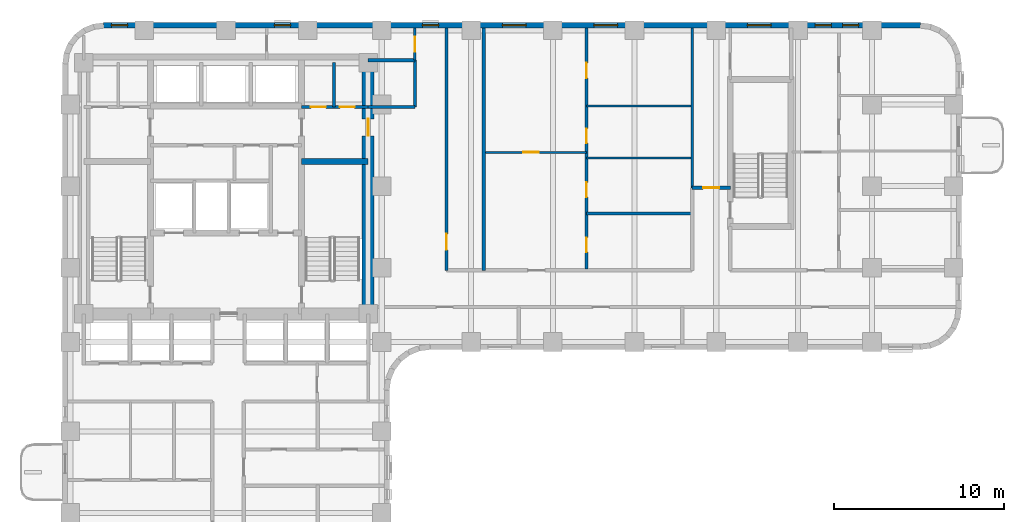
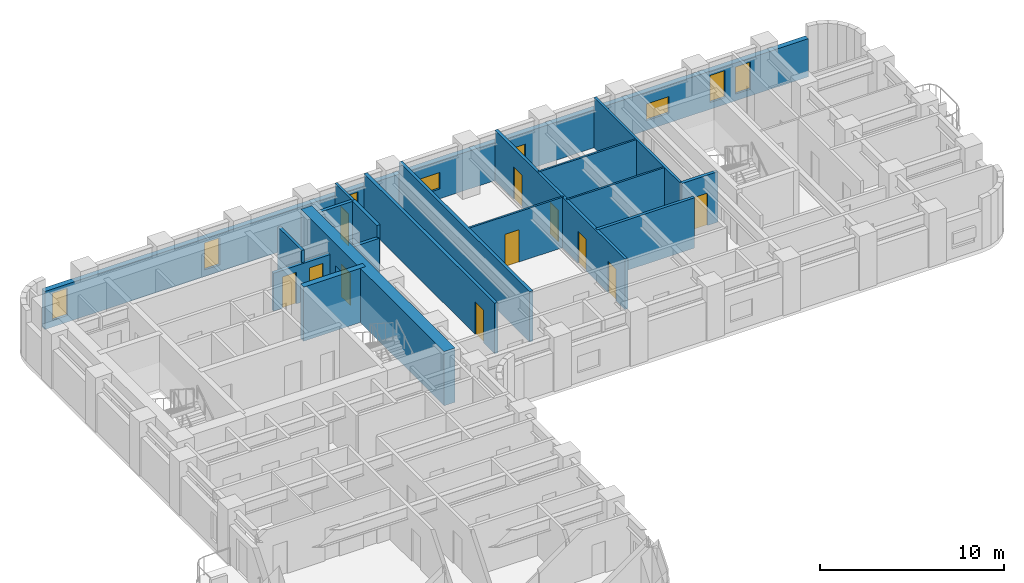
# One storey, part 6 of 11: 18 walls, 11 doors, 8 windows, 19 openings.
"""IFC4 building model written with IfcOpenShell, lengths in metres."""

from ifc_helpers import new_model, si_unit, direction, frame, frame_2d, origin, place, context, subcontext, project, spatial, rectangle, extrude, material, layer, layer_set, type_object, element, fill, save


model = new_model("IFC4")

# Units and contexts
model_context = context("Model", 3, precision=1e-05, world=origin(), true_north=direction((0.0, 1.0)))
body_context = subcontext(model_context, "Body", "Model", "MODEL_VIEW")
ifc_project = project(units=[si_unit("LENGTHUNIT", "METRE"), si_unit("AREAUNIT", "SQUARE_METRE"), si_unit("VOLUMEUNIT", "CUBIC_METRE"), si_unit("PLANEANGLEUNIT", "RADIAN"), si_unit("MASSUNIT", "GRAM", prefix="KILO")], contexts=[model_context])

# Site, building, storey
site_placement = place(None, origin())
site = spatial("IfcSite", under=ifc_project, at=site_placement, CompositionType="ELEMENT")
building_placement = place(site_placement, origin())
building = spatial("IfcBuilding", under=site, at=building_placement, Name="Orvandelia Arch Residences", CompositionType="ELEMENT")
storey_placement = place(building_placement, frame((0.0, 0.0, 61.0)))
storey = spatial("IfcBuildingStorey", under=building, at=storey_placement, Name="L15", CompositionType="ELEMENT", Elevation=61.0)

# Wall
ifc_material_1 = material(Name="Concrete C50/60", Category="concrete")
ifc_layer_1 = layer(ifc_material_1, 0.35009765625, Name="Concrete C50/60", Category="concrete")
ifc_layer_set_1 = layer_set([ifc_layer_1], Name="Concrete C50/60")
wall_type_1 = type_object("IfcWallType", Name="WL-CORE-350", PredefinedType="SHEAR", material=ifc_layer_set_1)
wall_1_placement = place(storey_placement, frame((18.840087890625, 39.85009765625, 0.0), z_axis=(0.0, 0.0, 1.0), x_axis=(1.0, 0.0, 0.0)))
element("IfcWall", 1, at=wall_1_placement, inside=storey, type_object=wall_type_1, Name="Core Shear Wall L15-HZ2", PredefinedType="SHEAR", context=body_context, shape_type="SweptSolid", body=[
    extrude(rectangle(XDim=3.909912109375, YDim=0.35009765625, at=frame_2d((1.955078125, 0.0))), origin(), (0.0, 0.0, 1.0), 3.60009765625),
])

# Wall, opening, door
ifc_material_2 = material(Name="Concrete C80/95", Category="concrete")
ifc_layer_2 = layer(ifc_material_2, 0.699951171875, Name="Concrete C80/95", Category="concrete")
ifc_layer_set_2 = layer_set([ifc_layer_2], Name="Concrete C80/95")
wall_type_2 = type_object("IfcWallType", Name="WL-CORE-700", PredefinedType="SHEAR", material=ifc_layer_set_2)
wall_2_placement = place(storey_placement, frame((22.75, 30.550048828125, 0.0), z_axis=(0.0, 0.0, 1.0), x_axis=(0.0, 1.0, 0.0)))
wall_2 = element("IfcWall", 2, at=wall_2_placement, inside=storey, type_object=wall_type_2, Name="Core Shear Wall L15-E", PredefinedType="SHEAR", context=body_context, shape_type="SweptSolid", body=[
    extrude(rectangle(XDim=15.599853515625, YDim=0.699951171875, at=frame_2d((7.7998046875, 0.0))), origin(), (0.0, 0.0, 1.0), 3.60009765625),
])
opening_1_placement = place(wall_2_placement, frame((10.800048828125, 0.0, 0.0)))
opening_1 = element("IfcOpeningElement", 3, at=opening_1_placement, cuts=wall_2, Name="Opening D6", PredefinedType="OPENING", context=body_context, shape_type="SweptSolid", body=[
    extrude(rectangle(XDim=1.0, YDim=2.14990234375, at=frame_2d((0.5, 1.074951171875))), frame((0.0, 0.35986328125, 0.0), z_axis=(0.0, -1.0, 0.0), x_axis=(1.0, 0.0, 0.0)), (0.0, 0.0, 1.0), 0.719970703125),
])
ifc_material_3 = material(Name="Smokeproof Painted Steel Fire Door", Category="steel")
door_type_1 = type_object("IfcDoorType", Name="DR-FD60-1000", OperationType="NOTDEFINED", PredefinedType="DOOR", material=ifc_material_3)
door_1_placement = place(opening_1_placement, origin())
door_1 = element("IfcDoor", 4, at=door_1_placement, inside=storey, type_object=door_type_1, Name="Core East Corridor Link Door L15", OperationType="SINGLE_SWING_LEFT", OverallHeight=2.14990234375, OverallWidth=1.0, PredefinedType="DOOR", context=body_context, shape_type="SweptSolid", body=[
    extrude(rectangle(XDim=1.0, YDim=2.14990234375, at=frame_2d((0.5, 1.074951171875))), frame((0.0, 0.02490234375, 0.0), z_axis=(0.0, -1.0, 0.0), x_axis=(1.0, 0.0, 0.0)), (0.0, 0.0, 1.0), 0.050048828125),
])
fill(opening_1, door_1)

# Wall
ifc_material_4 = material(Name="Fire-Rated Corridor Partition")
ifc_layer_3 = layer(ifc_material_4, 0.199951171875, Name="Fire-Rated Corridor Partition")
ifc_layer_set_3 = layer_set([ifc_layer_3], Name="Fire-Rated Corridor Partition")
wall_type_3 = type_object("IfcWallType", Name="WL-CORR-200", PredefinedType="PARTITIONING", material=ifc_layer_set_3)
wall_3_placement = place(storey_placement, frame((22.75, 45.800048828125, 0.0), z_axis=(0.0, 0.0, 1.0), x_axis=(1.0, 0.0, 0.0)))
element("IfcWall", 5, at=wall_3_placement, inside=storey, type_object=wall_type_3, Name="Interior Partition Wall WL-L15-NCE-S", PredefinedType="PARTITIONING", context=body_context, shape_type="SweptSolid", body=[
    extrude(rectangle(XDim=2.75, YDim=0.199951171875, at=frame_2d((1.375, 0.0))), origin(), (0.0, 0.0, 1.0), 3.35009765625),
])

# Wall, opening, door
wall_4_placement = place(storey_placement, frame((27.35009765625, 33.449951171875, 0.0), z_axis=(0.0, 0.0, 1.0), x_axis=(0.0, 1.0, 0.0)))
wall_4 = element("IfcWall", 6, at=wall_4_placement, inside=storey, type_object=wall_type_3, Name="Interior Partition Wall WL-L15-ES-NCE", PredefinedType="PARTITIONING", context=body_context, shape_type="SweptSolid", body=[
    extrude(rectangle(XDim=14.22998046875, YDim=0.199951171875, at=frame_2d((7.114990234375, 0.0))), origin(), (0.0, 0.0, 1.0), 3.35009765625),
])
opening_2_placement = place(wall_4_placement, frame((1.199951171875, 0.0, 0.0)))
opening_2 = element("IfcOpeningElement", 7, at=opening_2_placement, cuts=wall_4, Name="Opening D2", PredefinedType="OPENING", context=body_context, shape_type="SweptSolid", body=[
    extrude(rectangle(XDim=0.949951171875, YDim=2.14990234375, at=frame_2d((0.47509765625, 1.074951171875))), frame((0.0, 0.10986328125, 0.0), z_axis=(0.0, -1.0, 0.0), x_axis=(1.0, 0.0, 0.0)), (0.0, 0.0, 1.0), 0.219970703125),
])
ifc_material_5 = material(Name="Solid-Core Timber Interior Fire Door", Category="wood")
door_type_2 = type_object("IfcDoorType", Name="DR-APT-950", OperationType="NOTDEFINED", PredefinedType="DOOR", material=ifc_material_5)
door_2_placement = place(opening_2_placement, origin())
door_2 = element("IfcDoor", 8, at=door_2_placement, inside=storey, type_object=door_type_2, Name="DR-L15-ESLDY", OperationType="SINGLE_SWING_RIGHT", OverallHeight=2.14990234375, OverallWidth=0.949951171875, PredefinedType="DOOR", context=body_context, shape_type="SweptSolid", body=[
    extrude(rectangle(XDim=0.949951171875, YDim=2.14990234375, at=frame_2d((0.47509765625, 1.074951171875))), frame((0.0, 0.02490234375, 0.0), z_axis=(0.0, -1.0, 0.0), x_axis=(1.0, 0.0, 0.0)), (0.0, 0.0, 1.0), 0.050048828125),
])
fill(opening_2, door_2)

# Walls
wall_5_placement = place(storey_placement, frame((22.75, 43.050048828125, 0.0), z_axis=(0.0, 0.0, 1.0), x_axis=(1.0, 0.0, 0.0)))
element("IfcWall", 9, at=wall_5_placement, inside=storey, type_object=wall_type_3, Name="Interior Partition Wall WL-L15-ES-LS", PredefinedType="PARTITIONING", context=body_context, shape_type="SweptSolid", body=[
    extrude(rectangle(XDim=2.75, YDim=0.199951171875, at=frame_2d((1.375, 0.0))), origin(), (0.0, 0.0, 1.0), 2.530029296875),
])
wall_6_placement = place(storey_placement, frame((25.5, 43.050048828125, 0.0), z_axis=(0.0, 0.0, 1.0), x_axis=(0.0, 1.0, 0.0)))
element("IfcWall", 10, at=wall_6_placement, inside=storey, type_object=wall_type_3, Name="Interior Partition Wall WL-L15-ES-LW2", PredefinedType="PARTITIONING", context=body_context, shape_type="SweptSolid", body=[
    extrude(rectangle(XDim=2.75, YDim=0.199951171875, at=frame_2d((1.375, 0.0))), origin(), (0.0, 0.0, 1.0), 3.35009765625),
])

# Wall, opening, door
wall_7_placement = place(storey_placement, frame((41.780029296875, 38.300048828125, 0.0), z_axis=(0.0, 0.0, 1.0), x_axis=(1.0, 0.0, 0.0)))
wall_7 = element("IfcWall", 11, at=wall_7_placement, inside=storey, type_object=wall_type_3, Name="Interior Partition Wall WL-L15-ES-SN", PredefinedType="PARTITIONING", context=body_context, shape_type="SweptSolid", body=[
    extrude(rectangle(XDim=2.239990234375, YDim=0.199951171875, at=frame_2d((1.1201171875, 0.0))), origin(), (0.0, 0.0, 1.0), 3.35009765625),
])
opening_3_placement = place(wall_7_placement, frame((0.64990234375, 0.0, 0.0)))
opening_3 = element("IfcOpeningElement", 12, at=opening_3_placement, cuts=wall_7, Name="Opening D2", PredefinedType="OPENING", context=body_context, shape_type="SweptSolid", body=[
    extrude(rectangle(XDim=0.949951171875, YDim=2.14990234375, at=frame_2d((0.47509765625, 1.074951171875))), frame((0.0, 0.10986328125, 0.0), z_axis=(0.0, -1.0, 0.0), x_axis=(1.0, 0.0, 0.0)), (0.0, 0.0, 1.0), 0.219970703125),
])
door_3_placement = place(opening_3_placement, origin())
door_3 = element("IfcDoor", 13, at=door_3_placement, inside=storey, type_object=door_type_2, Name="DR-L15-ESSPK", OperationType="SINGLE_SWING_LEFT", OverallHeight=2.14990234375, OverallWidth=0.949951171875, PredefinedType="DOOR", context=body_context, shape_type="SweptSolid", body=[
    extrude(rectangle(XDim=0.949951171875, YDim=2.14990234375, at=frame_2d((0.47509765625, 1.074951171875))), frame((0.0, 0.02490234375, 0.0), z_axis=(0.0, -1.0, 0.0), x_axis=(1.0, 0.0, 0.0)), (0.0, 0.0, 1.0), 0.050048828125),
])
fill(opening_3, door_3)

# Wall
ifc_material_6 = material(Name="Concrete C40/50", Category="concrete")
ifc_layer_4 = layer(ifc_material_6, 0.199951171875, Name="Concrete C40/50", Category="concrete")
ifc_layer_set_4 = layer_set([ifc_layer_4], Name="Concrete C40/50")
wall_type_4 = type_object("IfcWallType", Name="WL-DEM-200", PredefinedType="SOLIDWALL", material=ifc_layer_set_4)
wall_8_placement = place(storey_placement, frame((29.550048828125, 33.449951171875, 0.0), z_axis=(0.0, 0.0, 1.0), x_axis=(0.0, 1.0, 0.0)))
element("IfcWall", 14, at=wall_8_placement, inside=storey, type_object=wall_type_4, Name="Interior Partition Wall WL-L15-ES-LDE", PredefinedType="SOLIDWALL", context=body_context, shape_type="SweptSolid", body=[
    extrude(rectangle(XDim=14.22998046875, YDim=0.199951171875, at=frame_2d((7.114990234375, 0.0))), origin(), (0.0, 0.0, 1.0), 3.35009765625),
])

# Wall, openings, windows
ifc_material_7 = material(Name="Precast concrete C40/50", Category="concrete")
ifc_layer_5 = layer(ifc_material_7, 0.320068359375, Name="Precast concrete C40/50", Category="concrete")
ifc_layer_set_5 = layer_set([ifc_layer_5], Name="Precast concrete C40/50")
wall_type_5 = type_object("IfcWallType", Name="WL-EXT-STONE-320", PredefinedType="STANDARD", material=ifc_layer_set_5)
wall_9_placement = place(storey_placement, frame((7.199951171875, 47.840087890625, 0.0), z_axis=(0.0, 0.0, 1.0), x_axis=(1.0, 0.0, 0.0)))
wall_9 = element("IfcWall", 15, at=wall_9_placement, inside=storey, type_object=wall_type_5, Name="Coral-Limestone Precast Facade Wall L15-007", PredefinedType="STANDARD", context=body_context, shape_type="SweptSolid", body=[
    extrude(rectangle(XDim=48.0, YDim=0.320068359375, at=frame_2d((24.0, 0.0))), origin(), (0.0, 0.0, 1.0), 2.530029296875),
])
opening_4_placement = place(wall_9_placement, frame((28.803466796875, 0.0, 0.64990234375)))
opening_4 = element("IfcOpeningElement", 16, at=opening_4_placement, cuts=wall_9, Name="Opening W10", PredefinedType="OPENING", context=body_context, shape_type="SweptSolid", body=[
    extrude(rectangle(XDim=1.39990234375, YDim=1.10009765625, at=frame_2d((0.699951171875, 0.550048828125))), frame((0.0, 0.169921875, 0.0), z_axis=(0.0, -1.0, 0.0), x_axis=(1.0, 0.0, 0.0)), (0.0, 0.0, 1.0), 0.340087890625),
])
opening_5_placement = place(wall_9_placement, frame((43.41357421875, 0.0, 0.449951171875)))
opening_5 = element("IfcOpeningElement", 17, at=opening_5_placement, cuts=wall_9, Name="Opening W4", PredefinedType="OPENING", context=body_context, shape_type="SweptSolid", body=[
    extrude(rectangle(XDim=0.949951171875, YDim=1.800048828125, at=frame_2d((0.47509765625, 0.89990234375))), frame((0.0, 0.169921875, 0.0), z_axis=(0.0, -1.0, 0.0), x_axis=(1.0, 0.0, 0.0)), (0.0, 0.0, 1.0), 0.340087890625),
])
opening_6_placement = place(wall_9_placement, frame((18.739990234375, 0.0, 0.449951171875)))
opening_6 = element("IfcOpeningElement", 18, at=opening_6_placement, cuts=wall_9, Name="Opening W4", PredefinedType="OPENING", context=body_context, shape_type="SweptSolid", body=[
    extrude(rectangle(XDim=0.949951171875, YDim=1.800048828125, at=frame_2d((0.47509765625, 0.89990234375))), frame((0.0, 0.169921875, 0.0), z_axis=(0.0, -1.0, 0.0), x_axis=(1.0, 0.0, 0.0)), (0.0, 0.0, 1.0), 0.340087890625),
])
opening_7_placement = place(wall_9_placement, frame((37.824951171875, 0.0, 0.64990234375)))
opening_7 = element("IfcOpeningElement", 19, at=opening_7_placement, cuts=wall_9, Name="Opening W10", PredefinedType="OPENING", context=body_context, shape_type="SweptSolid", body=[
    extrude(rectangle(XDim=1.39990234375, YDim=1.10009765625, at=frame_2d((0.699951171875, 0.550048828125))), frame((0.0, 0.169921875, 0.0), z_axis=(0.0, -1.0, 0.0), x_axis=(1.0, 0.0, 0.0)), (0.0, 0.0, 1.0), 0.340087890625),
])
opening_8_placement = place(wall_9_placement, frame((0.469970703125, 0.0, 0.449951171875)))
opening_8 = element("IfcOpeningElement", 20, at=opening_8_placement, cuts=wall_9, Name="Opening W4", PredefinedType="OPENING", context=body_context, shape_type="SweptSolid", body=[
    extrude(rectangle(XDim=0.949951171875, YDim=1.800048828125, at=frame_2d((0.47509765625, 0.89990234375))), frame((0.0, 0.169921875, 0.0), z_axis=(0.0, -1.0, 0.0), x_axis=(1.0, 0.0, 0.0)), (0.0, 0.0, 1.0), 0.340087890625),
])
opening_9_placement = place(wall_9_placement, frame((10.0400390625, 0.0, 0.449951171875)))
opening_9 = element("IfcOpeningElement", 21, at=opening_9_placement, cuts=wall_9, Name="Opening W4", PredefinedType="OPENING", context=body_context, shape_type="SweptSolid", body=[
    extrude(rectangle(XDim=0.949951171875, YDim=1.800048828125, at=frame_2d((0.47509765625, 0.89990234375))), frame((0.0, 0.169921875, 0.0), z_axis=(0.0, -1.0, 0.0), x_axis=(1.0, 0.0, 0.0)), (0.0, 0.0, 1.0), 0.340087890625),
])
opening_10_placement = place(wall_9_placement, frame((23.429931640625, 0.0, 0.64990234375)))
opening_10 = element("IfcOpeningElement", 22, at=opening_10_placement, cuts=wall_9, Name="Opening W10", PredefinedType="OPENING", context=body_context, shape_type="SweptSolid", body=[
    extrude(rectangle(XDim=1.39990234375, YDim=1.10009765625, at=frame_2d((0.699951171875, 0.550048828125))), frame((0.0, 0.169921875, 0.0), z_axis=(0.0, -1.0, 0.0), x_axis=(1.0, 0.0, 0.0)), (0.0, 0.0, 1.0), 0.340087890625),
])
opening_11_placement = place(wall_9_placement, frame((41.80859375, 0.0, 0.449951171875)))
opening_11 = element("IfcOpeningElement", 23, at=opening_11_placement, cuts=wall_9, Name="Opening W4", PredefinedType="OPENING", context=body_context, shape_type="SweptSolid", body=[
    extrude(rectangle(XDim=0.949951171875, YDim=1.800048828125, at=frame_2d((0.47509765625, 0.89990234375))), frame((0.0, 0.169921875, 0.0), z_axis=(0.0, -1.0, 0.0), x_axis=(1.0, 0.0, 0.0)), (0.0, 0.0, 1.0), 0.340087890625),
])
ifc_material_8 = material(Name="Tempered Low-E Insulated Glazing", Category="glass")
window_type_1 = type_object("IfcWindowType", Name="WIN-CLR-1400x1100", PartitioningType="SINGLE_PANEL", PredefinedType="WINDOW", material=ifc_material_8)
window_1_placement = place(opening_4_placement, origin())
window_1 = element("IfcWindow", 24, at=window_1_placement, inside=storey, type_object=window_type_1, Name="Recessed Punched Window L15-001", OverallHeight=1.10009765625, OverallWidth=1.39990234375, PartitioningType="SINGLE_PANEL", PredefinedType="WINDOW", context=body_context, shape_type="SweptSolid", body=[
    extrude(rectangle(XDim=1.39990234375, YDim=1.10009765625, at=frame_2d((0.699951171875, 0.550048828125))), frame((0.0, 0.030029296875, 0.0), z_axis=(0.0, -1.0, 0.0), x_axis=(1.0, 0.0, 0.0)), (0.0, 0.0, 1.0), 0.06005859375),
])
fill(opening_4, window_1)
window_2_placement = place(opening_7_placement, origin())
window_2 = element("IfcWindow", 25, at=window_2_placement, inside=storey, type_object=window_type_1, Name="Recessed Punched Window L15-004", OverallHeight=1.10009765625, OverallWidth=1.39990234375, PartitioningType="SINGLE_PANEL", PredefinedType="WINDOW", context=body_context, shape_type="SweptSolid", body=[
    extrude(rectangle(XDim=1.39990234375, YDim=1.10009765625, at=frame_2d((0.699951171875, 0.550048828125))), frame((0.0, 0.030029296875, 0.0), z_axis=(0.0, -1.0, 0.0), x_axis=(1.0, 0.0, 0.0)), (0.0, 0.0, 1.0), 0.06005859375),
])
fill(opening_7, window_2)
window_3_placement = place(opening_10_placement, origin())
window_3 = element("IfcWindow", 26, at=window_3_placement, inside=storey, type_object=window_type_1, Name="Recessed Punched Window L15-007", OverallHeight=1.10009765625, OverallWidth=1.39990234375, PartitioningType="SINGLE_PANEL", PredefinedType="WINDOW", context=body_context, shape_type="SweptSolid", body=[
    extrude(rectangle(XDim=1.39990234375, YDim=1.10009765625, at=frame_2d((0.699951171875, 0.550048828125))), frame((0.0, 0.030029296875, 0.0), z_axis=(0.0, -1.0, 0.0), x_axis=(1.0, 0.0, 0.0)), (0.0, 0.0, 1.0), 0.06005859375),
])
fill(opening_10, window_3)
window_type_2 = type_object("IfcWindowType", Name="WIN-RES-0950x1800", PartitioningType="SINGLE_PANEL", PredefinedType="WINDOW", material=ifc_material_8)
window_4_placement = place(opening_5_placement, origin())
window_4 = element("IfcWindow", 27, at=window_4_placement, inside=storey, type_object=window_type_2, Name="Recessed Punched Window L15-002", OverallHeight=1.800048828125, OverallWidth=0.949951171875, PartitioningType="SINGLE_PANEL", PredefinedType="WINDOW", context=body_context, shape_type="SweptSolid", body=[
    extrude(rectangle(XDim=0.949951171875, YDim=1.800048828125, at=frame_2d((0.47509765625, 0.89990234375))), frame((0.0, 0.030029296875, 0.0), z_axis=(0.0, -1.0, 0.0), x_axis=(1.0, 0.0, 0.0)), (0.0, 0.0, 1.0), 0.06005859375),
])
fill(opening_5, window_4)
window_5_placement = place(opening_6_placement, origin())
window_5 = element("IfcWindow", 28, at=window_5_placement, inside=storey, type_object=window_type_2, Name="Recessed Punched Window L15-003", OverallHeight=1.800048828125, OverallWidth=0.949951171875, PartitioningType="SINGLE_PANEL", PredefinedType="WINDOW", context=body_context, shape_type="SweptSolid", body=[
    extrude(rectangle(XDim=0.949951171875, YDim=1.800048828125, at=frame_2d((0.47509765625, 0.89990234375))), frame((0.0, 0.030029296875, 0.0), z_axis=(0.0, -1.0, 0.0), x_axis=(1.0, 0.0, 0.0)), (0.0, 0.0, 1.0), 0.06005859375),
])
fill(opening_6, window_5)
window_6_placement = place(opening_8_placement, origin())
window_6 = element("IfcWindow", 29, at=window_6_placement, inside=storey, type_object=window_type_2, Name="Recessed Punched Window L15-005", OverallHeight=1.800048828125, OverallWidth=0.949951171875, PartitioningType="SINGLE_PANEL", PredefinedType="WINDOW", context=body_context, shape_type="SweptSolid", body=[
    extrude(rectangle(XDim=0.949951171875, YDim=1.800048828125, at=frame_2d((0.47509765625, 0.89990234375))), frame((0.0, 0.030029296875, 0.0), z_axis=(0.0, -1.0, 0.0), x_axis=(1.0, 0.0, 0.0)), (0.0, 0.0, 1.0), 0.06005859375),
])
fill(opening_8, window_6)
window_7_placement = place(opening_9_placement, origin())
window_7 = element("IfcWindow", 30, at=window_7_placement, inside=storey, type_object=window_type_2, Name="Recessed Punched Window L15-006", OverallHeight=1.800048828125, OverallWidth=0.949951171875, PartitioningType="SINGLE_PANEL", PredefinedType="WINDOW", context=body_context, shape_type="SweptSolid", body=[
    extrude(rectangle(XDim=0.949951171875, YDim=1.800048828125, at=frame_2d((0.47509765625, 0.89990234375))), frame((0.0, 0.030029296875, 0.0), z_axis=(0.0, -1.0, 0.0), x_axis=(1.0, 0.0, 0.0)), (0.0, 0.0, 1.0), 0.06005859375),
])
fill(opening_9, window_7)
window_8_placement = place(opening_11_placement, origin())
window_8 = element("IfcWindow", 31, at=window_8_placement, inside=storey, type_object=window_type_2, Name="Recessed Punched Window L15-008", OverallHeight=1.800048828125, OverallWidth=0.949951171875, PartitioningType="SINGLE_PANEL", PredefinedType="WINDOW", context=body_context, shape_type="SweptSolid", body=[
    extrude(rectangle(XDim=0.949951171875, YDim=1.800048828125, at=frame_2d((0.47509765625, 0.89990234375))), frame((0.0, 0.030029296875, 0.0), z_axis=(0.0, -1.0, 0.0), x_axis=(1.0, 0.0, 0.0)), (0.0, 0.0, 1.0), 0.06005859375),
])
fill(opening_11, window_8)

# Wall, opening, door
ifc_material_9 = material(Name="Lightweight Gypsum Stud Partition")
ifc_layer_6 = layer(ifc_material_9, 0.1201171875, Name="Lightweight Gypsum Stud Partition")
ifc_layer_set_6 = layer_set([ifc_layer_6], Name="Lightweight Gypsum Stud Partition")
wall_type_6 = type_object("IfcWallType", Name="WL-PART-120", PredefinedType="PARTITIONING", material=ifc_layer_set_6)
wall_10_placement = place(storey_placement, frame((29.6298828125, 40.382080078125, 0.0), z_axis=(0.0, 0.0, 1.0), x_axis=(1.0, 0.0, 0.0)))
wall_10 = element("IfcWall", 32, at=wall_10_placement, inside=storey, type_object=wall_type_6, Name="Interior Partition Wall WL-L15-U07-DIN", PredefinedType="PARTITIONING", context=body_context, shape_type="SweptSolid", body=[
    extrude(rectangle(XDim=5.947021484375, YDim=0.1201171875, at=frame_2d((2.9736328125, 0.0))), origin(), (0.0, 0.0, 1.0), 3.35009765625),
])
opening_12_placement = place(wall_10_placement, frame((2.235107421875, 0.0, 0.0)))
opening_12 = element("IfcOpeningElement", 33, at=opening_12_placement, cuts=wall_10, Name="Opening D3", PredefinedType="OPENING", context=body_context, shape_type="SweptSolid", body=[
    extrude(rectangle(XDim=0.89990234375, YDim=2.14990234375, at=frame_2d((0.449951171875, 1.074951171875))), frame((0.0, 0.070068359375, 0.0), z_axis=(0.0, -1.0, 0.0), x_axis=(1.0, 0.0, 0.0)), (0.0, 0.0, 1.0), 0.14013671875),
])
ifc_material_10 = material(Name="Engineered Timber Flush Door", Category="wood")
door_type_3 = type_object("IfcDoorType", Name="DR-INT-900", OperationType="NOTDEFINED", PredefinedType="DOOR", material=ifc_material_10)
door_4_placement = place(opening_12_placement, origin())
door_4 = element("IfcDoor", 34, at=door_4_placement, inside=storey, type_object=door_type_3, Name="DR-L15-U07-DIN", OperationType="SINGLE_SWING_RIGHT", OverallHeight=2.14990234375, OverallWidth=0.89990234375, PredefinedType="DOOR", context=body_context, shape_type="SweptSolid", body=[
    extrude(rectangle(XDim=0.89990234375, YDim=2.14990234375, at=frame_2d((0.449951171875, 1.074951171875))), frame((0.0, 0.02490234375, 0.0), z_axis=(0.0, -1.0, 0.0), x_axis=(1.0, 0.0, 0.0)), (0.0, 0.0, 1.0), 0.050048828125),
])
fill(opening_12, door_4)

# Walls
for number, where, z_axis, x_axis, name in (
    (35, (35.576904296875, 40.0419921875, 0.0), (0.0, 0.0, 1.0), (1.0, 0.0, 0.0), "Interior Partition Wall WL-L15-U07-H1B"),
    (36, (35.576904296875, 43.10693359375, 0.0), (0.0, 0.0, 1.0), (1.0, 0.0, 0.0), "Interior Partition Wall WL-L15-U07-H2"),
):
    element("IfcWall", number, at=place(storey_placement, frame(where, z_axis=z_axis, x_axis=x_axis)), inside=storey, type_object=wall_type_6, Name=name, PredefinedType="PARTITIONING", context=body_context, shape_type="SweptSolid", body=[
        extrude(rectangle(XDim=6.123046875, YDim=0.1201171875, at=frame_2d((3.0615234375, 0.0))), origin(), (0.0, 0.0, 1.0), 3.35009765625),
    ])

# Wall, opening, door
ifc_material_11 = material(Name="Acoustic Gypsum Stud Partition")
ifc_layer_7 = layer(ifc_material_11, 0.14990234375, Name="Acoustic Gypsum Stud Partition")
ifc_layer_set_7 = layer_set([ifc_layer_7], Name="Acoustic Gypsum Stud Partition")
wall_type_7 = type_object("IfcWallType", Name="WL-PART-150", PredefinedType="PARTITIONING", material=ifc_layer_set_7)
wall_11_placement = place(storey_placement, frame((25.5, 45.800048828125, 0.0), z_axis=(0.0, 0.0, 1.0), x_axis=(0.0, 1.0, 0.0)))
wall_11 = element("IfcWall", 37, at=wall_11_placement, inside=storey, type_object=wall_type_7, Name="Interior Partition Wall WL-L15-NCE-W", PredefinedType="PARTITIONING", context=body_context, shape_type="SweptSolid", body=[
    extrude(rectangle(XDim=1.8798828125, YDim=0.14990234375, at=frame_2d((0.93994140625, 0.0))), origin(), (0.0, 0.0, 1.0), 3.35009765625),
])
opening_13_placement = place(wall_11_placement, frame((0.5, 0.0, 0.0)))
opening_13 = element("IfcOpeningElement", 38, at=opening_13_placement, cuts=wall_11, Name="Opening D5", PredefinedType="OPENING", context=body_context, shape_type="SweptSolid", body=[
    extrude(rectangle(XDim=0.8798828125, YDim=2.10009765625, at=frame_2d((0.43994140625, 1.050048828125))), frame((0.0, 0.0849609375, 0.0), z_axis=(0.0, -1.0, 0.0), x_axis=(1.0, 0.0, 0.0)), (0.0, 0.0, 1.0), 0.169921875),
])
ifc_material_12 = material(Name="Painted Galvanised Steel Service Door", Category="steel")
door_type_4 = type_object("IfcDoorType", Name="DR-SRV-880", OperationType="NOTDEFINED", PredefinedType="DOOR", material=ifc_material_12)
door_5_placement = place(opening_13_placement, origin())
door_5 = element("IfcDoor", 39, at=door_5_placement, inside=storey, type_object=door_type_4, Name="DR-L15-NCS2", OperationType="SINGLE_SWING_LEFT", OverallHeight=2.10009765625, OverallWidth=0.8798828125, PredefinedType="DOOR", context=body_context, shape_type="SweptSolid", body=[
    extrude(rectangle(XDim=0.8798828125, YDim=2.10009765625, at=frame_2d((0.43994140625, 1.050048828125))), frame((0.0, 0.02490234375, 0.0), z_axis=(0.0, -1.0, 0.0), x_axis=(1.0, 0.0, 0.0)), (0.0, 0.0, 1.0), 0.050048828125),
])
fill(opening_13, door_5)

# Wall
wall_12_placement = place(storey_placement, frame((41.780029296875, 38.300048828125, 0.0), z_axis=(0.0, 0.0, 1.0), x_axis=(0.0, 1.0, 0.0)))
element("IfcWall", 40, at=wall_12_placement, inside=storey, type_object=wall_type_7, Name="Interior Partition Wall WL-L15-ES-SPKW", PredefinedType="PARTITIONING", context=body_context, shape_type="SweptSolid", body=[
    extrude(rectangle(XDim=9.3798828125, YDim=0.14990234375, at=frame_2d((4.68994140625, 0.0))), origin(), (0.0, 0.0, 1.0), 3.35009765625),
])

# Wall, openings, doors
ifc_material_13 = material(Name="Fire-Rated Shaft Enclosure Wall")
ifc_layer_8 = layer(ifc_material_13, 0.199951171875, Name="Fire-Rated Shaft Enclosure Wall")
ifc_layer_set_8 = layer_set([ifc_layer_8], Name="Fire-Rated Shaft Enclosure Wall")
wall_type_8 = type_object("IfcWallType", Name="WL-SHAFT-200", PredefinedType="POLYGONAL", material=ifc_layer_set_8)
wall_13_placement = place(storey_placement, frame((18.840087890625, 43.050048828125, 0.0), z_axis=(0.0, 0.0, 1.0), x_axis=(1.0, 0.0, 0.0)))
wall_13 = element("IfcWall", 41, at=wall_13_placement, inside=storey, type_object=wall_type_8, Name="Interior Partition Wall WL-L15-HLE-N", PredefinedType="POLYGONAL", context=body_context, shape_type="SweptSolid", body=[
    extrude(rectangle(XDim=3.909912109375, YDim=0.199951171875, at=frame_2d((1.955078125, 0.0))), origin(), (0.0, 0.0, 1.0), 2.530029296875),
])
opening_14_placement = place(wall_13_placement, frame((0.550048828125, 0.0, 0.0)))
opening_14 = element("IfcOpeningElement", 42, at=opening_14_placement, cuts=wall_13, Name="Opening D5", PredefinedType="OPENING", context=body_context, shape_type="SweptSolid", body=[
    extrude(rectangle(XDim=0.8798828125, YDim=2.10009765625, at=frame_2d((0.43994140625, 1.050048828125))), frame((0.0, 0.10986328125, 0.0), z_axis=(0.0, -1.0, 0.0), x_axis=(1.0, 0.0, 0.0)), (0.0, 0.0, 1.0), 0.219970703125),
])
opening_15_placement = place(wall_13_placement, frame((2.25, 0.0, 0.0)))
opening_15 = element("IfcOpeningElement", 43, at=opening_15_placement, cuts=wall_13, Name="Opening D4", PredefinedType="OPENING", context=body_context, shape_type="SweptSolid", body=[
    extrude(rectangle(XDim=0.860107421875, YDim=2.10009765625, at=frame_2d((0.43017578125, 1.050048828125))), frame((0.0, 0.10986328125, 0.0), z_axis=(0.0, -1.0, 0.0), x_axis=(1.0, 0.0, 0.0)), (0.0, 0.0, 1.0), 0.219970703125),
])
door_6_placement = place(opening_14_placement, origin())
door_6 = element("IfcDoor", 44, at=door_6_placement, inside=storey, type_object=door_type_4, Name="DR-L15-CSB1", OperationType="SINGLE_SWING_LEFT", OverallHeight=2.10009765625, OverallWidth=0.8798828125, PredefinedType="DOOR", context=body_context, shape_type="SweptSolid", body=[
    extrude(rectangle(XDim=0.8798828125, YDim=2.10009765625, at=frame_2d((0.43994140625, 1.050048828125))), frame((0.0, 0.02490234375, 0.0), z_axis=(0.0, -1.0, 0.0), x_axis=(1.0, 0.0, 0.0)), (0.0, 0.0, 1.0), 0.050048828125),
])
fill(opening_14, door_6)
ifc_material_14 = material(Name="Moisture-Sealed Timber Bathroom Door", Category="wood")
door_type_5 = type_object("IfcDoorType", Name="DR-WET-900", OperationType="NOTDEFINED", PredefinedType="DOOR", material=ifc_material_14)
door_7_placement = place(opening_15_placement, origin())
door_7 = element("IfcDoor", 45, at=door_7_placement, inside=storey, type_object=door_type_5, Name="DR-L15-CSB2", OperationType="SINGLE_SWING_LEFT", OverallHeight=2.10009765625, OverallWidth=0.860107421875, PredefinedType="DOOR", context=body_context, shape_type="SweptSolid", body=[
    extrude(rectangle(XDim=0.860107421875, YDim=2.10009765625, at=frame_2d((0.43017578125, 1.050048828125))), frame((0.0, 0.02490234375, 0.0), z_axis=(0.0, -1.0, 0.0), x_axis=(1.0, 0.0, 0.0)), (0.0, 0.0, 1.0), 0.050048828125),
])
fill(opening_15, door_7)

# Wall
ifc_material_15 = material(Name="Moisture-Resistant Plumbing Wall")
ifc_layer_9 = layer(ifc_material_15, 0.179931640625, Name="Moisture-Resistant Plumbing Wall")
ifc_layer_set_9 = layer_set([ifc_layer_9], Name="Moisture-Resistant Plumbing Wall")
wall_type_9 = type_object("IfcWallType", Name="WL-WET-180", PredefinedType="PLUMBINGWALL", material=ifc_layer_set_9)
wall_14_placement = place(storey_placement, frame((20.75, 43.050048828125, 0.0), z_axis=(0.0, 0.0, 1.0), x_axis=(0.0, 1.0, 0.0)))
element("IfcWall", 46, at=wall_14_placement, inside=storey, type_object=wall_type_9, Name="Interior Partition Wall WL-L15-CSB-1", PredefinedType="PLUMBINGWALL", context=body_context, shape_type="SweptSolid", body=[
    extrude(rectangle(XDim=2.599853515625, YDim=0.179931640625, at=frame_2d((1.2998046875, 0.0))), origin(), (0.0, 0.0, 1.0), 3.35009765625),
])

# Wall, openings, doors
wall_15_placement = place(storey_placement, frame((35.576904296875, 33.530029296875, 0.0), z_axis=(0.0, 0.0, 1.0), x_axis=(0.0, 1.0, 0.0)))
wall_15 = element("IfcWall", 47, at=wall_15_placement, inside=storey, type_object=wall_type_9, Name="Interior Partition Wall WL-L15-U07-VT", PredefinedType="PLUMBINGWALL", context=body_context, shape_type="SweptSolid", body=[
    extrude(rectangle(XDim=14.14990234375, YDim=0.179931640625, at=frame_2d((7.074951171875, 0.0))), origin(), (0.0, 0.0, 1.0), 3.35009765625),
])
opening_16_placement = place(wall_15_placement, frame((0.99267578125, 0.0, 0.0)))
opening_16 = element("IfcOpeningElement", 48, at=opening_16_placement, cuts=wall_15, Name="Opening D4", PredefinedType="OPENING", context=body_context, shape_type="SweptSolid", body=[
    extrude(rectangle(XDim=0.860107421875, YDim=2.10009765625, at=frame_2d((0.43017578125, 1.050048828125))), frame((0.0, 0.10009765625, 0.0), z_axis=(0.0, -1.0, 0.0), x_axis=(1.0, 0.0, 0.0)), (0.0, 0.0, 1.0), 0.199951171875),
])
opening_17_placement = place(wall_15_placement, frame((4.226318359375, 0.0, 0.0)))
opening_17 = element("IfcOpeningElement", 49, at=opening_17_placement, cuts=wall_15, Name="Opening D4", PredefinedType="OPENING", context=body_context, shape_type="SweptSolid", body=[
    extrude(rectangle(XDim=0.860107421875, YDim=2.10009765625, at=frame_2d((0.43017578125, 1.050048828125))), frame((0.0, 0.10009765625, 0.0), z_axis=(0.0, -1.0, 0.0), x_axis=(1.0, 0.0, 0.0)), (0.0, 0.0, 1.0), 0.199951171875),
])
opening_18_placement = place(wall_15_placement, frame((7.396240234375, 0.0, 0.0)))
opening_18 = element("IfcOpeningElement", 50, at=opening_18_placement, cuts=wall_15, Name="Opening D4", PredefinedType="OPENING", context=body_context, shape_type="SweptSolid", body=[
    extrude(rectangle(XDim=0.860107421875, YDim=2.10009765625, at=frame_2d((0.43017578125, 1.050048828125))), frame((0.0, 0.10009765625, 0.0), z_axis=(0.0, -1.0, 0.0), x_axis=(1.0, 0.0, 0.0)), (0.0, 0.0, 1.0), 0.199951171875),
])
opening_19_placement = place(wall_15_placement, frame((11.2119140625, 0.0, 0.0)))
opening_19 = element("IfcOpeningElement", 51, at=opening_19_placement, cuts=wall_15, Name="Opening D3", PredefinedType="OPENING", context=body_context, shape_type="SweptSolid", body=[
    extrude(rectangle(XDim=0.89990234375, YDim=2.14990234375, at=frame_2d((0.449951171875, 1.074951171875))), frame((0.0, 0.10009765625, 0.0), z_axis=(0.0, -1.0, 0.0), x_axis=(1.0, 0.0, 0.0)), (0.0, 0.0, 1.0), 0.199951171875),
])
door_8_placement = place(opening_19_placement, origin())
door_8 = element("IfcDoor", 52, at=door_8_placement, inside=storey, type_object=door_type_3, Name="DR-L15-U07-BD1", OperationType="SINGLE_SWING_LEFT", OverallHeight=2.14990234375, OverallWidth=0.89990234375, PredefinedType="DOOR", context=body_context, shape_type="SweptSolid", body=[
    extrude(rectangle(XDim=0.89990234375, YDim=2.14990234375, at=frame_2d((0.449951171875, 1.074951171875))), frame((0.0, 0.02490234375, 0.0), z_axis=(0.0, -1.0, 0.0), x_axis=(1.0, 0.0, 0.0)), (0.0, 0.0, 1.0), 0.050048828125),
])
fill(opening_19, door_8)
door_9_placement = place(opening_16_placement, origin())
door_9 = element("IfcDoor", 53, at=door_9_placement, inside=storey, type_object=door_type_5, Name="DR-L15-U07-BTH", OperationType="SINGLE_SWING_RIGHT", OverallHeight=2.10009765625, OverallWidth=0.860107421875, PredefinedType="DOOR", context=body_context, shape_type="SweptSolid", body=[
    extrude(rectangle(XDim=0.860107421875, YDim=2.10009765625, at=frame_2d((0.43017578125, 1.050048828125))), frame((0.0, 0.02490234375, 0.0), z_axis=(0.0, -1.0, 0.0), x_axis=(1.0, 0.0, 0.0)), (0.0, 0.0, 1.0), 0.050048828125),
])
fill(opening_16, door_9)
door_10_placement = place(opening_17_placement, origin())
door_10 = element("IfcDoor", 54, at=door_10_placement, inside=storey, type_object=door_type_5, Name="DR-L15-U07-KIT", OperationType="SINGLE_SWING_LEFT", OverallHeight=2.10009765625, OverallWidth=0.860107421875, PredefinedType="DOOR", context=body_context, shape_type="SweptSolid", body=[
    extrude(rectangle(XDim=0.860107421875, YDim=2.10009765625, at=frame_2d((0.43017578125, 1.050048828125))), frame((0.0, 0.02490234375, 0.0), z_axis=(0.0, -1.0, 0.0), x_axis=(1.0, 0.0, 0.0)), (0.0, 0.0, 1.0), 0.050048828125),
])
fill(opening_17, door_10)
door_11_placement = place(opening_18_placement, origin())
door_11 = element("IfcDoor", 55, at=door_11_placement, inside=storey, type_object=door_type_5, Name="DR-L15-U07-STDY", OperationType="SINGLE_SWING_RIGHT", OverallHeight=2.10009765625, OverallWidth=0.860107421875, PredefinedType="DOOR", context=body_context, shape_type="SweptSolid", body=[
    extrude(rectangle(XDim=0.860107421875, YDim=2.10009765625, at=frame_2d((0.43017578125, 1.050048828125))), frame((0.0, 0.02490234375, 0.0), z_axis=(0.0, -1.0, 0.0), x_axis=(1.0, 0.0, 0.0)), (0.0, 0.0, 1.0), 0.050048828125),
])
fill(opening_18, door_11)

# Wall
wall_16_placement = place(storey_placement, frame((35.576904296875, 36.785888671875, 0.0), z_axis=(0.0, 0.0, 1.0), x_axis=(1.0, 0.0, 0.0)))
element("IfcWall", 56, at=wall_16_placement, inside=storey, type_object=wall_type_9, Name="Interior Partition Wall WL-L15-U07-H1", PredefinedType="PLUMBINGWALL", context=body_context, shape_type="SweptSolid", body=[
    extrude(rectangle(XDim=6.123046875, YDim=0.179931640625, at=frame_2d((3.0615234375, 0.0))), origin(), (0.0, 0.0, 1.0), 3.35009765625),
])

save(model, "model.ifc")
